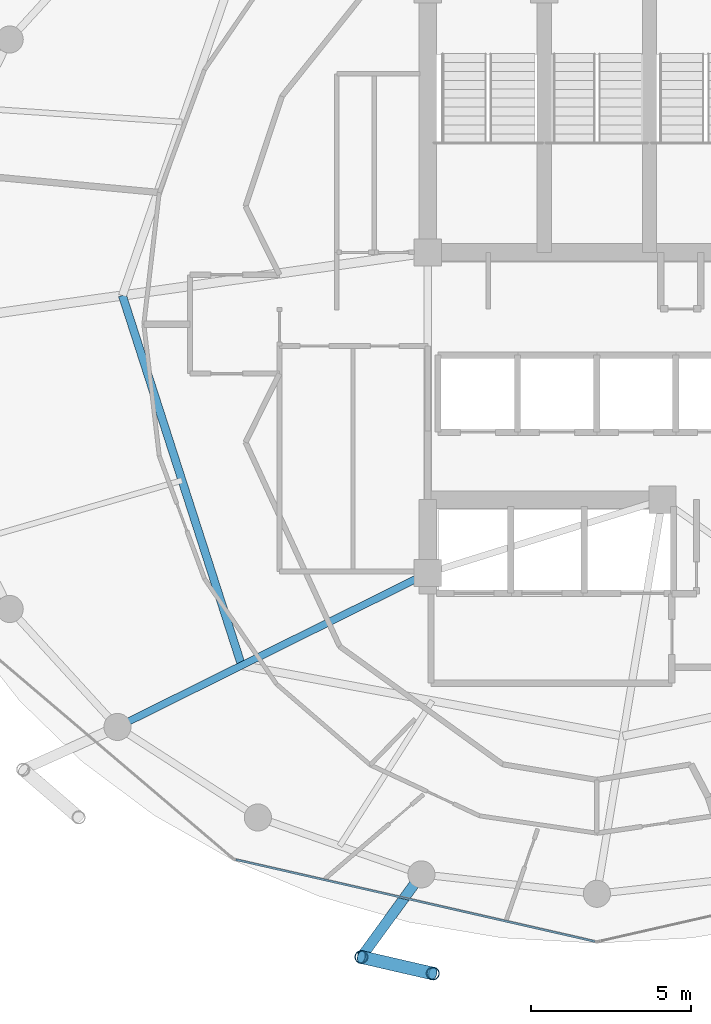
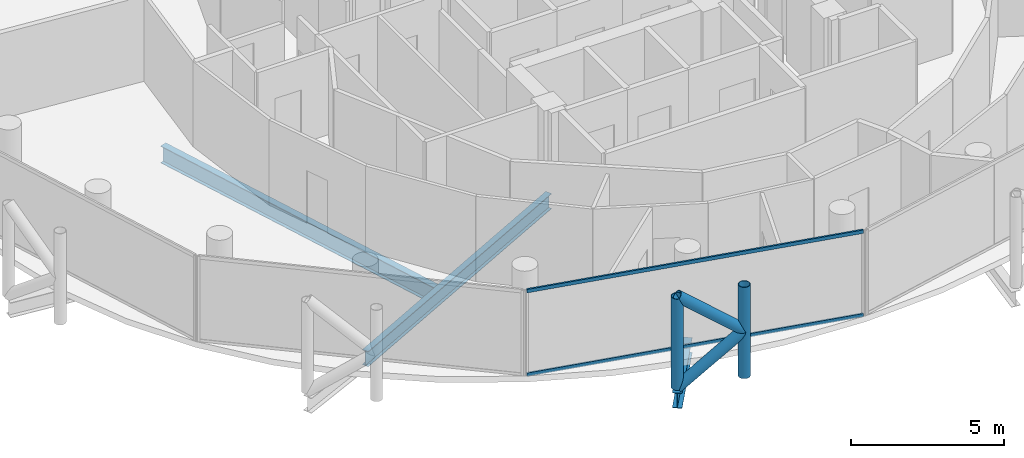
# One storey, part 4 of 27: 6 members, 3 beams, 1 element without a shape of its own.
"""IFC4 building model written with IfcOpenShell, lengths in metres."""

from ifc_helpers import new_model, si_unit, direction, frame, origin, origin_2d, place, context, subcontext, project, spatial, hollow_rectangle, hollow_circle, i_section, extrude, material, layer, layer_set, material_profile, profile_set, type_object, element, aggregate, save


model = new_model("IFC4")

# Units and contexts
model_context = context("Model", 3, precision=1e-05, world=origin(), true_north=direction((0.0, 1.0)))
body_context = subcontext(model_context, "Body", "Model", "MODEL_VIEW")
ifc_project = project(units=[si_unit("LENGTHUNIT", "METRE"), si_unit("AREAUNIT", "SQUARE_METRE"), si_unit("VOLUMEUNIT", "CUBIC_METRE"), si_unit("PLANEANGLEUNIT", "RADIAN"), si_unit("MASSUNIT", "GRAM", prefix="KILO")], contexts=[model_context])

# Site, building, storey
site_placement = place(None, origin())
site = spatial("IfcSite", under=ifc_project, at=site_placement, CompositionType="ELEMENT")
building_placement = place(site_placement, origin())
building = spatial("IfcBuilding", under=site, at=building_placement, Name="Nuhasar Tower", CompositionType="ELEMENT")
storey_placement = place(building_placement, frame((0.0, 0.0, 241.0)))
storey = spatial("IfcBuildingStorey", under=building, at=storey_placement, Name="L59", CompositionType="ELEMENT", Elevation=241.0)

# Beams
ifc_material_1 = material(Name="Steel S355", Category="steel")
ifc_material_profile_1 = material_profile(ifc_material_1, i_section(OverallWidth=0.25390625, OverallDepth=0.68408203125, WebThickness=0.012451171875, FlangeThickness=0.018798828125, at=origin_2d()), Name="W27X94")
ifc_profile_set_1 = profile_set([ifc_material_profile_1], Name="Steel S355")
beam_type_1 = type_object("IfcBeamType", Name="BM-INRING-W27X94", PredefinedType="BEAM", material=ifc_profile_set_1)
beam_1_placement = place(storey_placement, frame((24.1298828125, 27.699951171875, -0.58203125), z_axis=(0.306589852134, -0.951841721385, 0.0), x_axis=(0.951841721385, 0.306589852134, 0.0)))
element("IfcBeam", 1, at=beam_1_placement, inside=storey, type_object=beam_type_1, Name="L59 Inner Header Beam 08", PredefinedType="BEAM", context=body_context, shape_type="SweptSolid", body=[
    extrude(i_section(OverallWidth=0.25390625, OverallDepth=0.68408203125, WebThickness=0.012451171875, FlangeThickness=0.018798828125, at=origin_2d()), origin(), (0.0, 0.0, 1.0), 12.179443359375),
])
ifc_material_profile_2 = material_profile(ifc_material_1, i_section(OverallWidth=0.22900390625, OverallDepth=0.612060546875, WebThickness=0.011962890625, FlangeThickness=0.01953125, at=origin_2d()), Name="W24X84")
ifc_profile_set_2 = profile_set([ifc_material_profile_2], Name="Steel S355")
beam_type_2 = type_object("IfcBeamType", Name="BM-RAD-W24X84", PredefinedType="BEAM", material=ifc_profile_set_2)
beam_2_placement = place(storey_placement, frame((33.699951171875, 19.0, -0.5458984375), z_axis=(-0.895928935233, -0.444197414459, 0.0), x_axis=(0.444197414459, -0.895928935233, 0.0)))
element("IfcBeam", 2, at=beam_2_placement, inside=storey, type_object=beam_type_2, Name="L59 Radial Floor Girder 01", PredefinedType="BEAM", context=body_context, shape_type="SweptSolid", body=[
    extrude(i_section(OverallWidth=0.22900390625, OverallDepth=0.612060546875, WebThickness=0.011962890625, FlangeThickness=0.01953125, at=origin_2d()), origin(), (0.0, 0.0, 1.0), 10.85546875),
])
ifc_material_profile_3 = material_profile(ifc_material_1, i_section(OverallWidth=0.323974609375, OverallDepth=0.611083984375, WebThickness=0.0126953125, FlangeThickness=0.01904296875, at=origin_2d()), Name="W24X104")
ifc_profile_set_3 = profile_set([ifc_material_profile_3], Name="Steel S355")
beam_type_3 = type_object("IfcBeamType", Name="BM-TIE-W24X104", PredefinedType="BEAM", material=ifc_profile_set_3)
beam_3_placement = place(storey_placement, frame((33.5, 9.55810546875, -0.5458984375), z_axis=(-0.588094663461, -0.808792103577, 0.0), x_axis=(0.808792103577, -0.588094663461, 0.0)))
element("IfcBeam", 3, at=beam_3_placement, inside=storey, type_object=beam_type_3, Name="L59 Exoskeleton Node Tie Beam 09", PredefinedType="BEAM", context=body_context, shape_type="SweptSolid", body=[
    extrude(i_section(OverallWidth=0.323974609375, OverallDepth=0.611083984375, WebThickness=0.0126953125, FlangeThickness=0.01904296875, at=origin_2d()), origin(), (0.0, 0.0, 1.0), 3.20361328125),
])

# Curtain wall, members
ifc_material_2 = material(Name="Aluminium 6063-T6", Category="aluminium")
ifc_layer = layer(ifc_material_2, 0.18994140625)
ifc_layer_set = layer_set([ifc_layer], Name="Aluminium 6063-T6")
curtain_wall_type = type_object("IfcCurtainWallType", Name="CW-Z3-RES", PredefinedType="NOTDEFINED", material=ifc_layer_set)
curtain_wall_placement = place(storey_placement, origin())
curtain_wall = element("IfcCurtainWall", 4, at=curtain_wall_placement, inside=storey, type_object=curtain_wall_type, Name="L59 Unitised Curtain Wall 09", PredefinedType="NOTDEFINED")
ifc_material_profile_4 = material_profile(ifc_material_2, hollow_rectangle(XDim=0.06494140625, YDim=0.139892578125, WallThickness=0.00439453125, at=origin_2d()), Name="CWT-4")
ifc_profile_set_4 = profile_set([ifc_material_profile_4], Name="Aluminium 6063-T6")
member_type_1 = type_object("IfcMemberType", Name="CW-TRN-S4", PredefinedType="USERDEFINED", material=ifc_profile_set_4)
member_1_placement = place(storey_placement, frame((27.683349609375, 10.01953125, 0.032470703125), z_axis=(0.974989487479, -0.222250982686, 0.0), x_axis=(0.222250982686, 0.974989487479, 0.0)))
member_1 = element("IfcMember", 5, at=member_1_placement, type_object=member_type_1, Name="CW-Z3 transom 1.1", ObjectType="TRANSOM", PredefinedType="USERDEFINED", context=body_context, shape_type="SweptSolid", body=[
    extrude(hollow_rectangle(XDim=0.06494140625, YDim=0.139892578125, WallThickness=0.00439453125, at=origin_2d()), origin(), (0.0, 0.0, 1.0), 11.541748046875),
])
member_2_placement = place(storey_placement, frame((27.683349609375, 10.01953125, 3.37744140625), z_axis=(0.974989487479, -0.222250982686, 0.0), x_axis=(0.222250982686, 0.974989487479, 0.0)))
member_2 = element("IfcMember", 6, at=member_2_placement, type_object=member_type_1, Name="CW-Z3 transom 1.2", ObjectType="TRANSOM", PredefinedType="USERDEFINED", context=body_context, shape_type="SweptSolid", body=[
    extrude(hollow_rectangle(XDim=0.06494140625, YDim=0.139892578125, WallThickness=0.00439453125, at=origin_2d()), origin(), (0.0, 0.0, 1.0), 11.541748046875),
])
aggregate(curtain_wall, [member_1, member_2])

# Members
ifc_material_3 = material(Name="Steel S460", Category="steel")
ifc_material_profile_5 = material_profile(ifc_material_3, hollow_circle(Radius=0.203125, WallThickness=0.01904296875, at=origin_2d()), Name="HSS406.4X19.1")
ifc_profile_set_5 = profile_set([ifc_material_profile_5], Name="Steel S460")
member_type_2 = type_object("IfcMemberType", Name="EXO-BRONZE-406", PredefinedType="BRACE", material=ifc_profile_set_5)
for number, where, z_axis, x_axis, name in (
    (7, (31.615966796875, 6.967041015625, 0.0), (0.0, 0.0, 1.0), (1.0, 0.0, 0.0), "L59 Exoskeleton Chord Column EC-09A"),
    (8, (33.85693359375, 6.450927734375, 0.0), (0.0, 0.0, 1.0), (1.0, 0.0, 0.0), "L59 Exoskeleton Chord Column EC-09B"),
):
    element("IfcMember", number, at=place(storey_placement, frame(where, z_axis=z_axis, x_axis=x_axis)), inside=storey, type_object=member_type_2, Name=name, PredefinedType="BRACE", context=body_context, shape_type="SweptSolid", body=[
        extrude(hollow_circle(Radius=0.203125, WallThickness=0.01904296875, at=origin_2d()), origin(), (0.0, 0.0, 1.0), 3.64990234375),
    ])
for number, where, z_axis, x_axis, name in (
    (9, (31.615966796875, 6.967041015625, 0.0), (0.76333158458, -0.175801609086, 0.621625841021), (0.224433035437, 0.97448951385, 0.0), "L59 Bronze Diagrid Brace W1-09"),
    (10, (33.85693359375, 6.450927734375, 1.824951171875), (-0.76333158458, 0.175801609086, 0.621625841021), (-0.224433035437, -0.97448951385, 0.0), "L59 Bronze Diagrid Brace W2-09"),
):
    element("IfcMember", number, at=place(storey_placement, frame(where, z_axis=z_axis, x_axis=x_axis)), inside=storey, type_object=member_type_2, Name=name, PredefinedType="BRACE", context=body_context, shape_type="SweptSolid", body=[
        extrude(hollow_circle(Radius=0.203125, WallThickness=0.01904296875, at=origin_2d()), origin(), (0.0, 0.0, 1.0), 2.935791015625),
    ])

save(model, "model.ifc")
